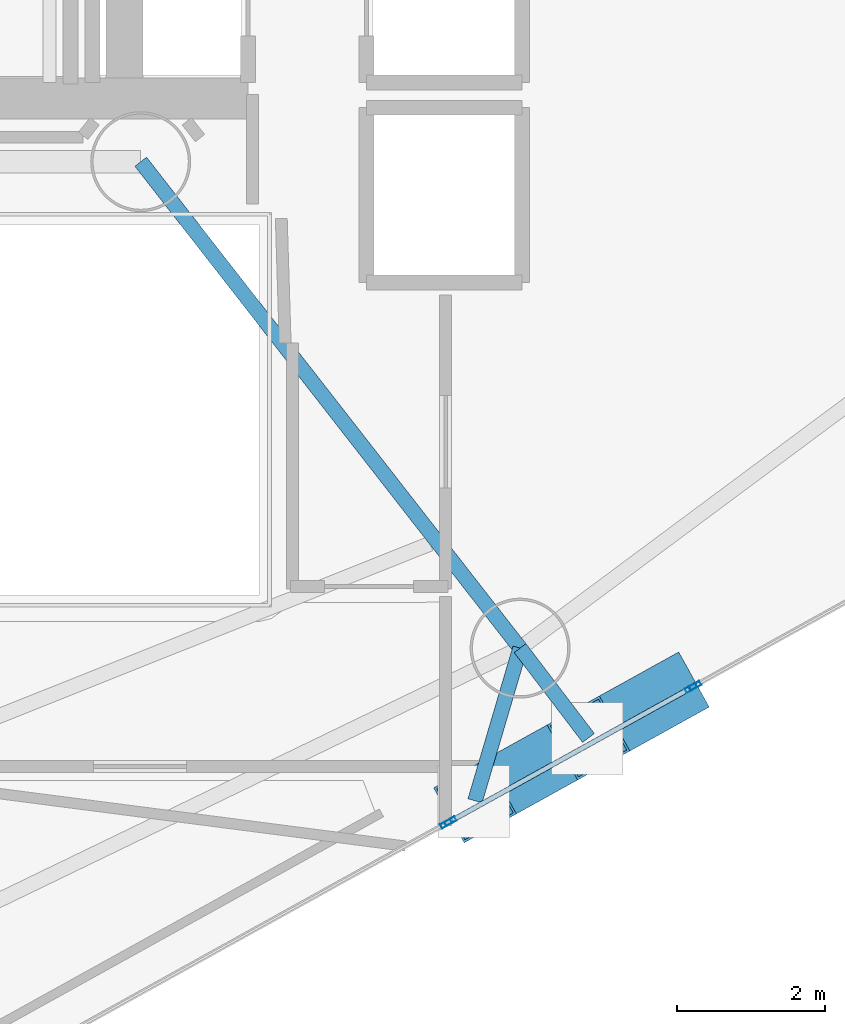
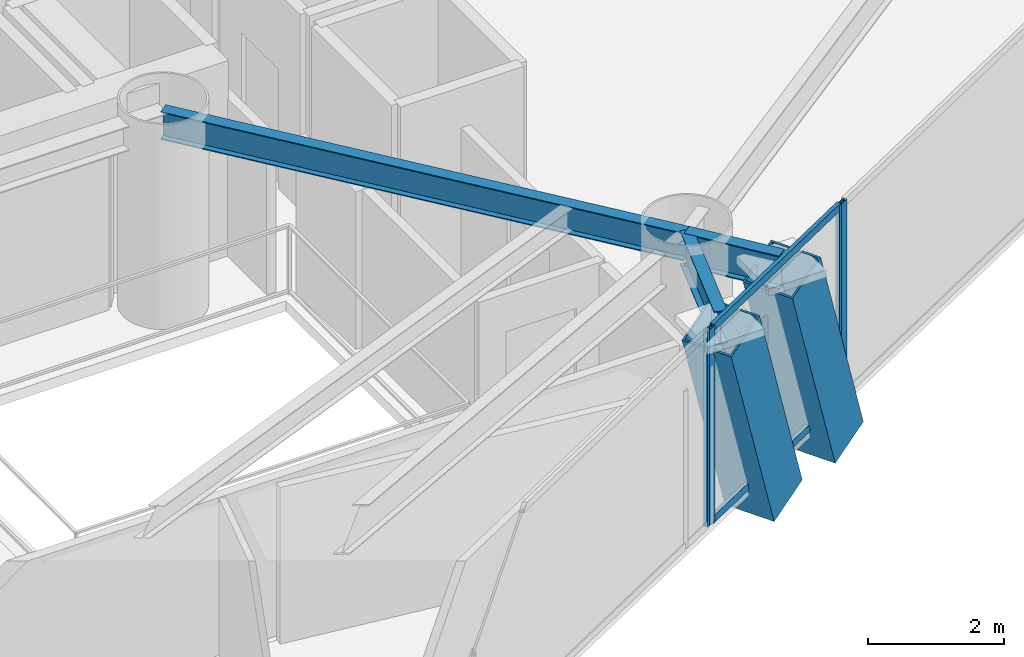
# One storey, part 6 of 21: 8 members, 3 beams, 3 elements without a shape of their own.
"""IFC4 building model written with IfcOpenShell, lengths in metres."""

from ifc_helpers import new_model, si_unit, direction, frame, origin, origin_2d, place, context, subcontext, project, spatial, hollow_rectangle, i_section, extrude, material, layer, layer_set, material_profile, profile_set, type_object, element, aggregate, save


model = new_model("IFC4")

# Units and contexts
model_context = context("Model", 3, precision=1e-05, world=origin(), true_north=direction((0.0, 1.0)))
body_context = subcontext(model_context, "Body", "Model", "MODEL_VIEW")
ifc_project = project(units=[si_unit("LENGTHUNIT", "METRE"), si_unit("AREAUNIT", "SQUARE_METRE"), si_unit("VOLUMEUNIT", "CUBIC_METRE"), si_unit("PLANEANGLEUNIT", "RADIAN"), si_unit("MASSUNIT", "GRAM", prefix="KILO")], contexts=[model_context])

# Site, building, storey
site_placement = place(None, origin())
site = spatial("IfcSite", under=ifc_project, at=site_placement, CompositionType="ELEMENT")
building_placement = place(site_placement, origin())
building = spatial("IfcBuilding", under=site, at=building_placement, Name="Qianvela Tower", CompositionType="ELEMENT")
storey_placement = place(building_placement, frame((0.0, 0.0, 166.10009765625)))
storey = spatial("IfcBuildingStorey", under=building, at=storey_placement, Name="L42", CompositionType="ELEMENT", Elevation=166.10009765625)

# Beams
ifc_material_1 = material(Name="Steel Q355B", Category="steel")
ifc_material_profile_1 = material_profile(ifc_material_1, i_section(OverallWidth=0.199951171875, OverallDepth=0.5, WebThickness=0.010009765625, FlangeThickness=0.01611328125, at=origin_2d()), Name="HN500x200x10x16")
ifc_profile_set_1 = profile_set([ifc_material_profile_1], Name="Steel Q355B")
beam_type_1 = type_object("IfcBeamType", Name="BM-HN500-GIRD", PredefinedType="BEAM", material=ifc_profile_set_1)
beam_1_placement = place(storey_placement, frame((38.39990234375, 23.85009765625, 3.267822265625), z_axis=(0.615000832816, -0.788526458424, 0.0), x_axis=(0.788526458424, 0.615000832816, 0.0)))
element("IfcBeam", 1, at=beam_1_placement, inside=storey, type_object=beam_type_1, Name="L42 Radial Primary Floor Girder 6", PredefinedType="BEAM", context=body_context, shape_type="SweptSolid", body=[
    extrude(i_section(OverallWidth=0.199951171875, OverallDepth=0.5, WebThickness=0.010009765625, FlangeThickness=0.01611328125, at=origin_2d()), origin(), (0.0, 0.0, 1.0), 8.333251953125),
])
ifc_material_2 = material(Name="Steel Q355B", Category="steel")
ifc_material_profile_2 = material_profile(ifc_material_2, i_section(OverallWidth=0.199951171875, OverallDepth=0.60009765625, WebThickness=0.010986328125, FlangeThickness=0.01708984375, at=origin_2d()), Name="HN600x200x11x17")
ifc_profile_set_2 = profile_set([ifc_material_profile_2], Name="Steel Q355B")
beam_type_2 = type_object("IfcBeamType", Name="BM-HN600-GIRD", PredefinedType="BEAM", material=ifc_profile_set_2)
beam_2_placement = place(storey_placement, frame((43.52490234375, 17.279052734375, 3.218017578125), z_axis=(-0.283075664474, -0.959097580115, 0.0), x_axis=(0.959097580115, -0.283075664474, 0.0)))
element("IfcBeam", 2, at=beam_2_placement, inside=storey, type_object=beam_type_2, Name="L42 Mega-Brace Column Tie Bracket F3-1", PredefinedType="BEAM", context=body_context, shape_type="SweptSolid", body=[
    extrude(i_section(OverallWidth=0.199951171875, OverallDepth=0.60009765625, WebThickness=0.010986328125, FlangeThickness=0.01708984375, at=origin_2d()), origin(), (0.0, 0.0, 1.0), 2.15087890625),
])
beam_3_placement = place(storey_placement, frame((43.52490234375, 17.279052734375, 3.218017578125), z_axis=(0.605797252559, -0.795619060098, 0.0), x_axis=(0.795619060098, 0.605797252559, 0.0)))
element("IfcBeam", 3, at=beam_3_placement, inside=storey, type_object=beam_type_2, Name="L42 Mega-Brace Column Tie Bracket F3-2", PredefinedType="BEAM", context=body_context, shape_type="SweptSolid", body=[
    extrude(i_section(OverallWidth=0.199951171875, OverallDepth=0.60009765625, WebThickness=0.010986328125, FlangeThickness=0.01708984375, at=origin_2d()), origin(), (0.0, 0.0, 1.0), 1.525390625),
])

# Curtain wall, members
ifc_material_3 = material(Name="Anodised Architectural Aluminium and Insulated Spandrel Panel", Category="aluminium")
ifc_layer_1 = layer(ifc_material_3, 0.179931640625)
ifc_layer_set_1 = layer_set([ifc_layer_1], Name="Anodised Architectural Aluminium and Insulated Spandrel Panel")
curtain_wall_type_1 = type_object("IfcCurtainWallType", Name="CW-BRACEBAY", PredefinedType="USERDEFINED", material=ifc_layer_set_1)
curtain_wall_1_placement = place(storey_placement, origin())
curtain_wall_1 = element("IfcCurtainWall", 4, at=curtain_wall_1_placement, inside=storey, type_object=curtain_wall_type_1, Name="L42 CW-BRACEBAY Curtain Wall 06B", ObjectType="CURTAIN_WALL_SYSTEM", PredefinedType="USERDEFINED")
ifc_material_4 = material(Name="Anodised Architectural Aluminium 6063-T6", Category="aluminium")
ifc_material_profile_3 = material_profile(ifc_material_4, hollow_rectangle(XDim=0.06494140625, YDim=0.159912109375, WallThickness=0.0048828125, at=origin_2d()), Name="ALU-MULL-65x160")
ifc_profile_set_3 = profile_set([ifc_material_profile_3], Name="Anodised Architectural Aluminium 6063-T6")
member_type_1 = type_object("IfcMemberType", Name="CW-BRACEBAY-MULL", PredefinedType="MULLION", material=ifc_profile_set_3)
member_1_placement = place(storey_placement, frame((42.58349609375, 14.940185546875, 0.0), z_axis=(0.0, 0.0, 1.0), x_axis=(-0.48471721655, 0.874670920964, 0.0)))
member_1 = element("IfcMember", 5, at=member_1_placement, type_object=member_type_1, Name="CW-9 mullion 1", PredefinedType="MULLION", context=body_context, shape_type="SweptSolid", body=[
    extrude(hollow_rectangle(XDim=0.06494140625, YDim=0.159912109375, WallThickness=0.0048828125, at=origin_2d()), origin(), (0.0, 0.0, 1.0), 3.52001953125),
])
member_2_placement = place(storey_placement, frame((45.832763671875, 16.740966796875, 0.0), z_axis=(0.0, 0.0, 1.0), x_axis=(-0.48471721655, 0.874670920964, 0.0)))
member_2 = element("IfcMember", 6, at=member_2_placement, type_object=member_type_1, Name="CW-9 mullion 2", PredefinedType="MULLION", context=body_context, shape_type="SweptSolid", body=[
    extrude(hollow_rectangle(XDim=0.06494140625, YDim=0.159912109375, WallThickness=0.0048828125, at=origin_2d()), origin(), (0.0, 0.0, 1.0), 3.52001953125),
])
ifc_material_5 = material(Name="Anodised Architectural Aluminium 6063-T6", Category="aluminium")
ifc_material_profile_4 = material_profile(ifc_material_5, hollow_rectangle(XDim=0.06494140625, YDim=0.1298828125, WallThickness=0.00439453125, at=origin_2d()), Name="ALU-TRAN-65x130")
ifc_profile_set_4 = profile_set([ifc_material_profile_4], Name="Anodised Architectural Aluminium 6063-T6")
member_type_2 = type_object("IfcMemberType", Name="CW-BRACEBAY-TRAN", PredefinedType="USERDEFINED", material=ifc_profile_set_4)
member_3_placement = place(storey_placement, frame((42.61181640625, 14.955810546875, 0.032470703125), z_axis=(0.874667901813, 0.484722664559, 0.0), x_axis=(-0.484722664559, 0.874667901813, 0.0)))
member_3 = element("IfcMember", 7, at=member_3_placement, type_object=member_type_2, Name="CW-9 transom 1.1", ObjectType="TRANSOM", PredefinedType="USERDEFINED", context=body_context, shape_type="SweptSolid", body=[
    extrude(hollow_rectangle(XDim=0.06494140625, YDim=0.1298828125, WallThickness=0.00439453125, at=origin_2d()), origin(), (0.0, 0.0, 1.0), 3.650146484375),
])
member_4_placement = place(storey_placement, frame((42.61181640625, 14.955810546875, 3.4873046875), z_axis=(0.874667901813, 0.484722664559, 0.0), x_axis=(-0.484722664559, 0.874667901813, 0.0)))
member_4 = element("IfcMember", 8, at=member_4_placement, type_object=member_type_2, Name="CW-9 transom 1.2", ObjectType="TRANSOM", PredefinedType="USERDEFINED", context=body_context, shape_type="SweptSolid", body=[
    extrude(hollow_rectangle(XDim=0.06494140625, YDim=0.1298828125, WallThickness=0.00439453125, at=origin_2d()), origin(), (0.0, 0.0, 1.0), 3.650146484375),
])
aggregate(curtain_wall_1, [member_1, member_2, member_3, member_4])

# Curtain wall, member
ifc_material_6 = material(Name="Anodised Architectural Aluminium and Low-E Glass", Category="aluminium")
ifc_layer_2 = layer(ifc_material_6, 0.169921875)
ifc_layer_set_2 = layer_set([ifc_layer_2], Name="Anodised Architectural Aluminium and Low-E Glass")
curtain_wall_type_2 = type_object("IfcCurtainWallType", Name="CW-COLIV-Z34", PredefinedType="USERDEFINED", material=ifc_layer_set_2)
curtain_wall_2_placement = place(storey_placement, origin())
curtain_wall_2 = element("IfcCurtainWall", 9, at=curtain_wall_2_placement, inside=storey, type_object=curtain_wall_type_2, Name="L42 CW-COLIV-Z34 Curtain Wall 06A", ObjectType="CURTAIN_WALL_SYSTEM", PredefinedType="USERDEFINED")
ifc_material_7 = material(Name="Anodised Architectural Aluminium 6063-T6", Category="aluminium")
ifc_material_profile_5 = material_profile(ifc_material_7, hollow_rectangle(XDim=0.06494140625, YDim=0.159912109375, WallThickness=0.0048828125, at=origin_2d()), Name="ALU-MULL-65x160")
ifc_profile_set_5 = profile_set([ifc_material_profile_5], Name="Anodised Architectural Aluminium 6063-T6")
member_type_3 = type_object("IfcMemberType", Name="CW-COLIV-Z34-MULL", PredefinedType="MULLION", material=ifc_profile_set_5)
member_5_placement = place(storey_placement, frame((42.526611328125, 14.90869140625, 0.0), z_axis=(0.0, 0.0, 1.0), x_axis=(-0.484703341859, 0.874678609771, 0.0)))
member_5 = element("IfcMember", 10, at=member_5_placement, type_object=member_type_3, Name="CW-4 mullion 3", PredefinedType="MULLION", context=body_context, shape_type="SweptSolid", body=[
    extrude(hollow_rectangle(XDim=0.06494140625, YDim=0.159912109375, WallThickness=0.0048828125, at=origin_2d()), origin(), (0.0, 0.0, 1.0), 3.52001953125),
])
aggregate(curtain_wall_2, [member_5])

curtain_wall_3_placement = place(storey_placement, origin())
curtain_wall_3 = element("IfcCurtainWall", 11, at=curtain_wall_3_placement, inside=storey, type_object=curtain_wall_type_2, Name="L42 CW-COLIV-Z34 Curtain Wall 06C", ObjectType="CURTAIN_WALL_SYSTEM", PredefinedType="USERDEFINED")
member_6_placement = place(storey_placement, frame((45.8896484375, 16.7724609375, 0.0), z_axis=(0.0, 0.0, 1.0), x_axis=(-0.484701402798, 0.874679684299, 0.0)))
member_6 = element("IfcMember", 12, at=member_6_placement, type_object=member_type_3, Name="CW-4 mullion 1", PredefinedType="MULLION", context=body_context, shape_type="SweptSolid", body=[
    extrude(hollow_rectangle(XDim=0.06494140625, YDim=0.159912109375, WallThickness=0.0048828125, at=origin_2d()), origin(), (0.0, 0.0, 1.0), 3.52001953125),
])
aggregate(curtain_wall_3, [member_6])

# Members
ifc_material_8 = material(Name="Steel Q420GJC", Category="steel")
ifc_material_profile_6 = material_profile(ifc_material_8, hollow_rectangle(XDim=0.85009765625, YDim=0.85009765625, WallThickness=0.031982421875, at=origin_2d()), Name="MBOX-850x850x32")
ifc_profile_set_6 = profile_set([ifc_material_profile_6], Name="Steel Q420GJC")
member_type_4 = type_object("IfcMemberType", Name="MBR-MBRACE-850", PredefinedType="BRACE", material=ifc_profile_set_6)
member_7_placement = place(storey_placement, frame((43.989501953125, 15.810791015625, -0.482177734375), z_axis=(-0.275365917195, -0.15255660093, 0.949157571302), x_axis=(0.484612246668, -0.874729083991, 0.0)))
element("IfcMember", 13, at=member_7_placement, inside=storey, type_object=member_type_4, Name="L42 Tier 7 Exterior Mega-Brace F3A", PredefinedType="BRACE", context=body_context, shape_type="SweptSolid", body=[
    extrude(hollow_rectangle(XDim=0.85009765625, YDim=0.85009765625, WallThickness=0.031982421875, at=origin_2d()), origin(), (0.0, 0.0, 1.0), 3.8984375),
])
member_8_placement = place(storey_placement, frame((45.5205078125, 16.6591796875, -0.482177734375), z_axis=(-0.274913304603, -0.152332913373, 0.949324685477), x_axis=(0.484678137512, -0.874692576291, 0.0)))
element("IfcMember", 14, at=member_8_placement, inside=storey, type_object=member_type_4, Name="L42 Tier 7 Exterior Mega-Brace F3B", PredefinedType="BRACE", context=body_context, shape_type="SweptSolid", body=[
    extrude(hollow_rectangle(XDim=0.85009765625, YDim=0.85009765625, WallThickness=0.031982421875, at=origin_2d()), origin(), (0.0, 0.0, 1.0), 3.897705078125),
])

save(model, "model.ifc")
